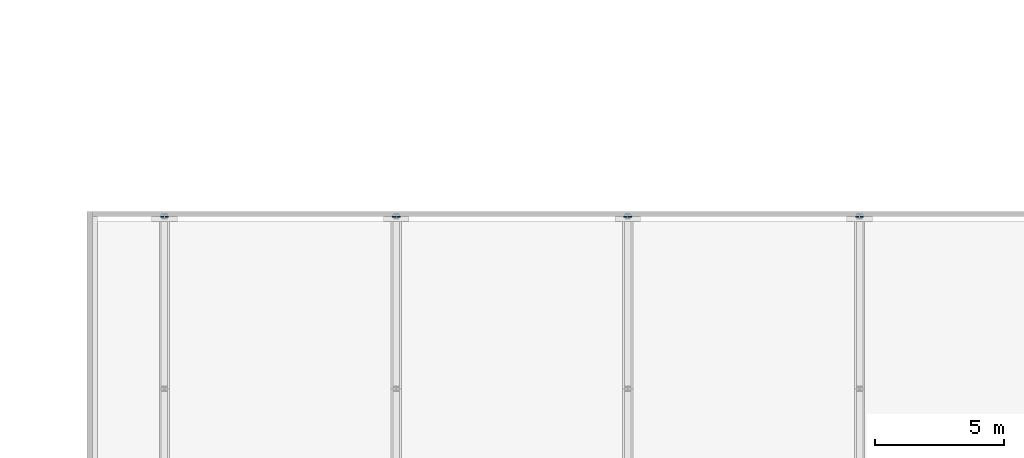
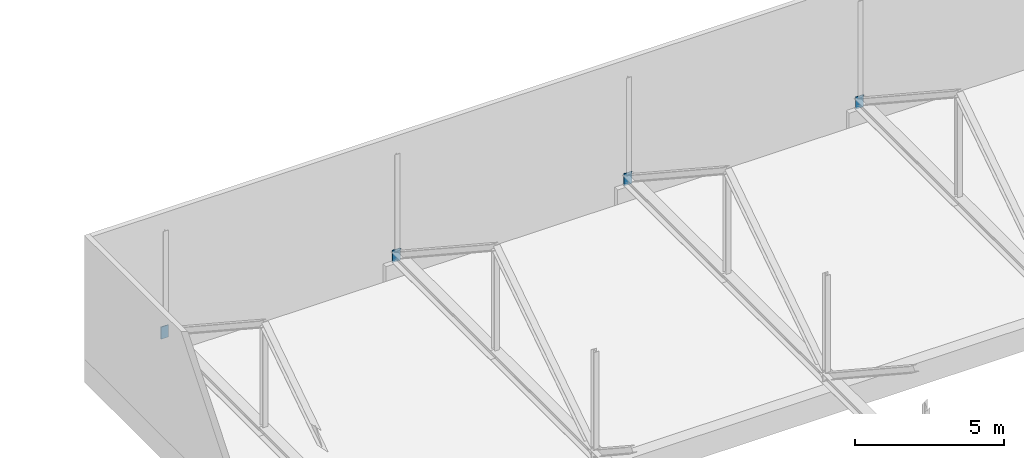
# One storey, part 41 of 49: 4 discrete accessories.
"""IFC4 building model written with IfcOpenShell, lengths in metres."""

from ifc_helpers import new_model, si_unit, direction, frame, origin, origin_2d, place, context, subcontext, project, spatial, rectangle, extrude, material, layer, layer_set, type_object, element, save


model = new_model("IFC4")

# Units and contexts
model_context = context("Model", 3, precision=1e-05, world=origin(), true_north=direction((0.0, 1.0)))
body_context = subcontext(model_context, "Body", "Model", "MODEL_VIEW")
ifc_project = project(units=[si_unit("LENGTHUNIT", "METRE"), si_unit("AREAUNIT", "SQUARE_METRE"), si_unit("VOLUMEUNIT", "CUBIC_METRE"), si_unit("PLANEANGLEUNIT", "RADIAN"), si_unit("MASSUNIT", "GRAM", prefix="KILO")], contexts=[model_context])

# Site, building, storey
site_placement = place(None, origin())
site = spatial("IfcSite", under=ifc_project, at=site_placement, CompositionType="ELEMENT")
building_placement = place(site_placement, origin())
building = spatial("IfcBuilding", under=site, at=building_placement, Name="Hunhe Ridgeline Campus", CompositionType="ELEMENT")
storey_placement = place(building_placement, frame((0.0, 0.0, 21.60009765625)))
storey = spatial("IfcBuildingStorey", under=building, at=storey_placement, Name="L04", CompositionType="ELEMENT", Elevation=21.60009765625)

# Discrete accessories
ifc_material = material(Name="Steel Q355", Category="steel")
ifc_layer = layer(ifc_material, 0.030029296875)
ifc_layer_set = layer_set([ifc_layer], Name="Cast-in plate 300x500x30 Steel Q355")
discrete_accessory_type = type_object("IfcDiscreteAccessoryType", Name="Cast-in plate 300x500x30 Steel Q355", PredefinedType="BRACKET", material=ifc_layer_set)
for number, where, z_axis, x_axis, name in (
    (1, (153.0, 76.284912109375, 0.539794921875), (0.0, 0.0, 1.0), (0.0, 1.0, 0.0), "Roof truss 1 cast-in plate n bottom"),
    (2, (162.0, 76.284912109375, 0.539794921875), (0.0, 0.0, 1.0), (0.0, 1.0, 0.0), "Roof truss 2 cast-in plate n bottom"),
    (3, (171.0, 76.284912109375, 0.539794921875), (0.0, 0.0, 1.0), (0.0, 1.0, 0.0), "Roof truss 3 cast-in plate n bottom"),
    (4, (180.0, 76.284912109375, 0.539794921875), (0.0, 0.0, 1.0), (0.0, 1.0, 0.0), "Roof truss 4 cast-in plate n bottom"),
):
    element("IfcDiscreteAccessory", number, at=place(storey_placement, frame(where, z_axis=z_axis, x_axis=x_axis)), inside=storey, type_object=discrete_accessory_type, Name=name, PredefinedType="BRACKET", context=body_context, shape_type="SweptSolid", body=[
        extrude(rectangle(XDim=0.030029296875, YDim=0.300048828125, at=origin_2d()), origin(), (0.0, 0.0, 1.0), 0.5),
    ])

save(model, "model.ifc")
